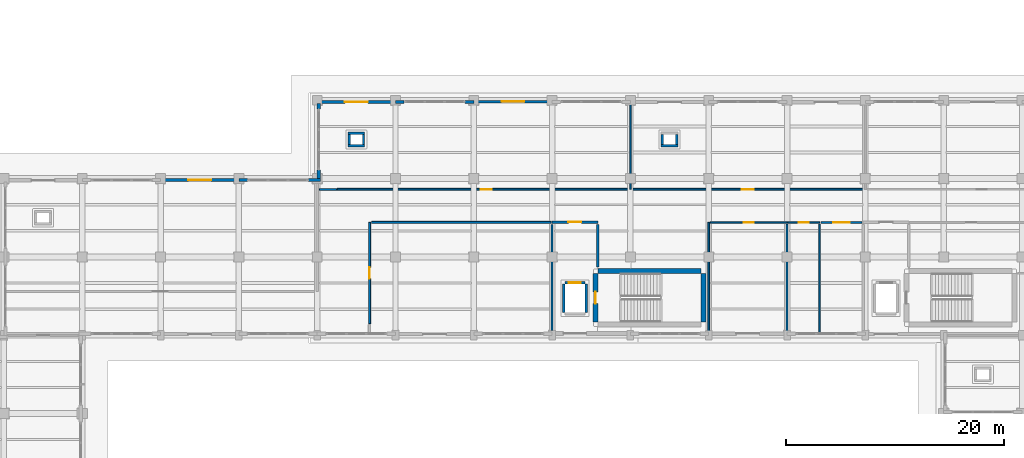
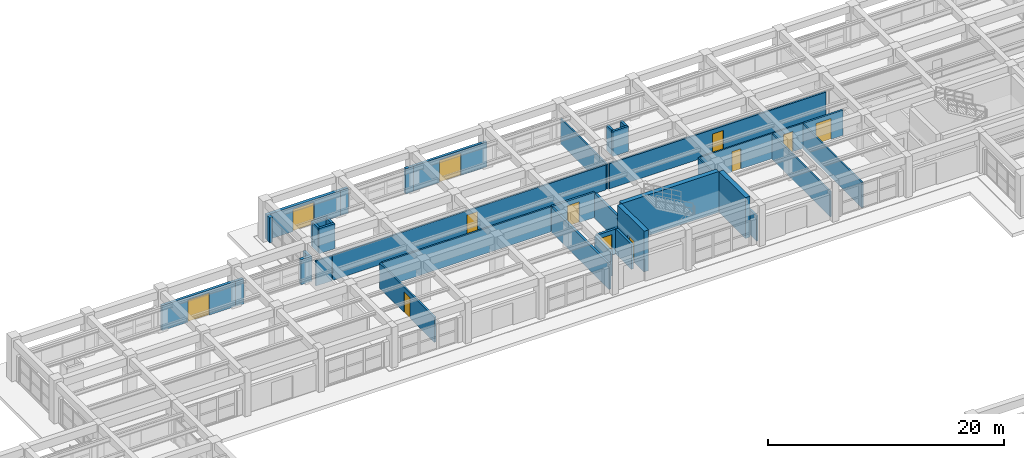
# One storey, part 45 of 64: 37 walls, 12 doors, 12 openings.
"""IFC4 building model written with IfcOpenShell, lengths in metres."""

from ifc_helpers import new_model, si_unit, direction, frame, frame_2d, origin, place, context, subcontext, project, spatial, rectangle, extrude, material, layer, layer_set, type_object, element, fill, save


model = new_model("IFC4")

# Units and contexts
model_context = context("Model", 3, precision=1e-05, world=origin(), true_north=direction((0.0, 1.0)))
body_context = subcontext(model_context, "Body", "Model", "MODEL_VIEW")
ifc_project = project(units=[si_unit("LENGTHUNIT", "METRE"), si_unit("AREAUNIT", "SQUARE_METRE"), si_unit("VOLUMEUNIT", "CUBIC_METRE"), si_unit("PLANEANGLEUNIT", "RADIAN"), si_unit("MASSUNIT", "GRAM", prefix="KILO")], contexts=[model_context])

# Site, building, storey
site_placement = place(None, origin())
site = spatial("IfcSite", under=ifc_project, at=site_placement, CompositionType="ELEMENT")
building_placement = place(site_placement, origin())
building = spatial("IfcBuilding", under=site, at=building_placement, Name="Solenvale Faculty of Natural Sciences", CompositionType="ELEMENT")
storey_placement = place(building_placement, origin())
storey = spatial("IfcBuildingStorey", under=building, at=storey_placement, Name="L00", CompositionType="ELEMENT", Elevation=0.0)

# Wall, opening, door
ifc_material_1 = material(Name="Precast concrete 40 MPa", Category="concrete")
ifc_layer_1 = layer(ifc_material_1, 0.2451171875)
ifc_layer_set_1 = layer_set([ifc_layer_1], Name="Precast concrete 40 MPa")
wall_type_1 = type_object("IfcWallType", Name="WL-EXT-PRC-245", PredefinedType="STANDARD", material=ifc_layer_set_1)
wall_1_placement = place(storey_placement, frame((93.60009765625, 115.077392578125, 0.0), z_axis=(0.0, 0.0, 1.0), x_axis=(1.0, 0.0, 0.0)))
wall_1 = element("IfcWall", 1, at=wall_1_placement, inside=storey, type_object=wall_type_1, Name="L00 Exterior Wall 17.8", PredefinedType="STANDARD", context=body_context, shape_type="SweptSolid", body=[
    extrude(rectangle(XDim=7.199951171875, YDim=0.2451171875, at=frame_2d((3.60009765625, 0.0))), origin(), (0.0, 0.0, 1.0), 2.60009765625),
])
opening_1_placement = place(wall_1_placement, frame((2.550048828125, 0.0, 0.0)))
opening_1 = element("IfcOpeningElement", 2, at=opening_1_placement, cuts=wall_1, Name="Opening EX-22", PredefinedType="OPENING", context=body_context, shape_type="SweptSolid", body=[
    extrude(rectangle(XDim=2.10009765625, YDim=2.300048828125, at=frame_2d((1.050048828125, 1.14990234375))), frame((0.0, 0.132568359375, 0.0), z_axis=(0.0, -1.0, 0.0), x_axis=(1.0, 0.0, 0.0)), (0.0, 0.0, 1.0), 0.26513671875),
])
ifc_material_2 = material(Name="Anodised bronze aluminium", Category="aluminium")
door_type_1 = type_object("IfcDoorType", Name="DR-EXT-2100x2300", OperationType="NOTDEFINED", PredefinedType="DOOR", material=ifc_material_2)
door_1_placement = place(opening_1_placement, origin())
door_1 = element("IfcDoor", 3, at=door_1_placement, inside=storey, type_object=door_type_1, Name="L00 Exterior Exit Door EX-22", OperationType="DOUBLE_DOOR_SINGLE_SWING", OverallHeight=2.300048828125, OverallWidth=2.10009765625, PredefinedType="DOOR", context=body_context, shape_type="SweptSolid", body=[
    extrude(rectangle(XDim=2.10009765625, YDim=2.300048828125, at=frame_2d((1.050048828125, 1.14990234375))), frame((0.0, 0.02490234375, 0.0), z_axis=(0.0, -1.0, 0.0), x_axis=(1.0, 0.0, 0.0)), (0.0, 0.0, 1.0), 0.050048828125),
])
fill(opening_1, door_1)

ifc_layer_2 = layer(ifc_material_1, 0.264892578125)
ifc_layer_set_2 = layer_set([ifc_layer_2], Name="Precast concrete 40 MPa")
wall_type_2 = type_object("IfcWallType", Name="WL-EXT-PRC-265", PredefinedType="STANDARD", material=ifc_layer_set_2)
wall_2_placement = place(storey_placement, frame((64.800048828125, 107.867431640625, 0.0), z_axis=(0.0, 0.0, 1.0), x_axis=(1.0, 0.0, 0.0)))
wall_2 = element("IfcWall", 4, at=wall_2_placement, inside=storey, type_object=wall_type_2, Name="L00 Exterior Wall 19.2", PredefinedType="STANDARD", context=body_context, shape_type="SweptSolid", body=[
    extrude(rectangle(XDim=7.199951171875, YDim=0.264892578125, at=frame_2d((3.60009765625, 0.0))), origin(), (0.0, 0.0, 1.0), 2.60009765625),
])
opening_2_placement = place(wall_2_placement, frame((2.550048828125, 0.0, 0.0)))
opening_2 = element("IfcOpeningElement", 5, at=opening_2_placement, cuts=wall_2, Name="Opening EX-24", PredefinedType="OPENING", context=body_context, shape_type="SweptSolid", body=[
    extrude(rectangle(XDim=2.10009765625, YDim=2.300048828125, at=frame_2d((1.050048828125, 1.14990234375))), frame((0.0, 0.142333984375, 0.0), z_axis=(0.0, -1.0, 0.0), x_axis=(1.0, 0.0, 0.0)), (0.0, 0.0, 1.0), 0.284912109375),
])
door_2_placement = place(opening_2_placement, origin())
door_2 = element("IfcDoor", 6, at=door_2_placement, inside=storey, type_object=door_type_1, Name="L00 Exterior Exit Door EX-24", OperationType="DOUBLE_DOOR_SINGLE_SWING", OverallHeight=2.300048828125, OverallWidth=2.10009765625, PredefinedType="DOOR", context=body_context, shape_type="SweptSolid", body=[
    extrude(rectangle(XDim=2.10009765625, YDim=2.300048828125, at=frame_2d((1.050048828125, 1.14990234375))), frame((0.0, 0.02490234375, 0.0), z_axis=(0.0, -1.0, 0.0), x_axis=(1.0, 0.0, 0.0)), (0.0, 0.0, 1.0), 0.050048828125),
])
fill(opening_2, door_2)

# Walls
ifc_layer_3 = layer(ifc_material_1, 0.284912109375)
ifc_layer_set_3 = layer_set([ifc_layer_3], Name="Precast concrete 40 MPa")
wall_type_3 = type_object("IfcWallType", Name="WL-EXT-PRC-285", PredefinedType="STANDARD", material=ifc_layer_set_3)
for number, where, z_axis, x_axis, name in (
    (7, (93.60009765625, 115.0576171875, 0.0), (0.0, 0.0, 1.0), (-1.0, 0.0, 0.0), "L00 Facade Closure Pier 17.B9-L"),
    (8, (87.18798828125, 115.0576171875, 0.0), (0.0, 0.0, 1.0), (-1.0, 0.0, 0.0), "L00 Facade Closure Pier 17.B9-R"),
):
    element("IfcWall", number, at=place(storey_placement, frame(where, z_axis=z_axis, x_axis=x_axis)), inside=storey, type_object=wall_type_3, Name=name, PredefinedType="STANDARD", context=body_context, shape_type="SweptSolid", body=[
        extrude(rectangle(XDim=0.7880859375, YDim=0.284912109375, at=frame_2d((0.39404296875, 0.0))), origin(), (0.0, 0.0, 1.0), 2.60009765625),
    ])
wall_3_placement = place(storey_placement, frame((79.342529296875, 114.89501953125, 0.0), z_axis=(0.0, 0.0, 1.0), x_axis=(0.0, -1.0, 0.0)))
element("IfcWall", 9, at=wall_3_placement, inside=storey, type_object=wall_type_3, Name="L00 Facade Closure Pier 18.B1-L", PredefinedType="STANDARD", context=body_context, shape_type="SweptSolid", body=[
    extrude(rectangle(XDim=0.48291015625, YDim=0.284912109375, at=frame_2d((0.241455078125, 0.0))), origin(), (0.0, 0.0, 1.0), 2.60009765625),
])
wall_4_placement = place(storey_placement, frame((79.342529296875, 108.7880859375, 0.0), z_axis=(0.0, 0.0, 1.0), x_axis=(0.0, -1.0, 0.0)))
element("IfcWall", 10, at=wall_4_placement, inside=storey, type_object=wall_type_3, Name="L00 Facade Closure Pier 18.B1-R", PredefinedType="STANDARD", context=body_context, shape_type="SweptSolid", body=[
    extrude(rectangle(XDim=0.7880859375, YDim=0.284912109375, at=frame_2d((0.39404296875, 0.0))), origin(), (0.0, 0.0, 1.0), 2.60009765625),
])
wall_5_placement = place(storey_placement, frame((79.485107421875, 107.857421875, 0.0), z_axis=(0.0, 0.0, 1.0), x_axis=(-1.0, 0.0, 0.0)))
element("IfcWall", 11, at=wall_5_placement, inside=storey, type_object=wall_type_3, Name="L00 Facade Closure Pier 19.B1-L", PredefinedType="STANDARD", context=body_context, shape_type="SweptSolid", body=[
    extrude(rectangle(XDim=1.072998046875, YDim=0.284912109375, at=frame_2d((0.53662109375, 0.0))), origin(), (0.0, 0.0, 1.0), 2.60009765625),
])
wall_6_placement = place(storey_placement, frame((72.7880859375, 107.857421875, 0.0), z_axis=(0.0, 0.0, 1.0), x_axis=(-1.0, 0.0, 0.0)))
element("IfcWall", 12, at=wall_6_placement, inside=storey, type_object=wall_type_3, Name="L00 Facade Closure Pier 19.B1-R", PredefinedType="STANDARD", context=body_context, shape_type="SweptSolid", body=[
    extrude(rectangle(XDim=0.7880859375, YDim=0.284912109375, at=frame_2d((0.39404296875, 0.0))), origin(), (0.0, 0.0, 1.0), 2.60009765625),
])

# Wall, opening, door
ifc_layer_4 = layer(ifc_material_1, 0.304931640625)
ifc_layer_set_4 = layer_set([ifc_layer_4], Name="Precast concrete 40 MPa")
wall_type_4 = type_object("IfcWallType", Name="WL-EXT-PRC-305", PredefinedType="STANDARD", material=ifc_layer_set_4)
wall_7_placement = place(storey_placement, frame((79.199951171875, 115.047607421875, 0.0), z_axis=(0.0, 0.0, 1.0), x_axis=(1.0, 0.0, 0.0)))
wall_7 = element("IfcWall", 13, at=wall_7_placement, inside=storey, type_object=wall_type_4, Name="L00 Exterior Wall 17.10", PredefinedType="STANDARD", context=body_context, shape_type="SweptSolid", body=[
    extrude(rectangle(XDim=7.199951171875, YDim=0.304931640625, at=frame_2d((3.60009765625, 0.0))), origin(), (0.0, 0.0, 1.0), 2.60009765625),
])
opening_3_placement = place(wall_7_placement, frame((2.550048828125, 0.0, 0.0)))
opening_3 = element("IfcOpeningElement", 14, at=opening_3_placement, cuts=wall_7, Name="Opening EX-23", PredefinedType="OPENING", context=body_context, shape_type="SweptSolid", body=[
    extrude(rectangle(XDim=2.10009765625, YDim=2.300048828125, at=frame_2d((1.050048828125, 1.14990234375))), frame((0.0, 0.162353515625, 0.0), z_axis=(0.0, -1.0, 0.0), x_axis=(1.0, 0.0, 0.0)), (0.0, 0.0, 1.0), 0.324951171875),
])
door_3_placement = place(opening_3_placement, origin())
door_3 = element("IfcDoor", 15, at=door_3_placement, inside=storey, type_object=door_type_1, Name="L00 Exterior Exit Door EX-23", OperationType="DOUBLE_DOOR_SINGLE_SWING", OverallHeight=2.300048828125, OverallWidth=2.10009765625, PredefinedType="DOOR", context=body_context, shape_type="SweptSolid", body=[
    extrude(rectangle(XDim=2.10009765625, YDim=2.300048828125, at=frame_2d((1.050048828125, 1.14990234375))), frame((0.0, 0.02490234375, 0.0), z_axis=(0.0, -1.0, 0.0), x_axis=(1.0, 0.0, 0.0)), (0.0, 0.0, 1.0), 0.050048828125),
])
fill(opening_3, door_3)

ifc_material_3 = material(Name="Gypsum fire-rated shaftwall")
ifc_layer_5 = layer(ifc_material_3, 0.205078125)
ifc_layer_set_5 = layer_set([ifc_layer_5], Name="Gypsum fire-rated shaftwall")
wall_type_5 = type_object("IfcWallType", Name="WL-FFL-205", PredefinedType="PARTITIONING", material=ifc_layer_set_5)
wall_8_placement = place(storey_placement, frame((100.800048828125, 104.0, 0.0), z_axis=(0.0, 0.0, 1.0), x_axis=(1.0, 0.0, 0.0)))
wall_8 = element("IfcWall", 16, at=wall_8_placement, inside=storey, type_object=wall_type_5, Name="L00 Firefighting Lobby C4 Partition 1", PredefinedType="PARTITIONING", context=body_context, shape_type="SweptSolid", body=[
    extrude(rectangle(XDim=4.199951171875, YDim=0.205078125, at=frame_2d((2.10009765625, 0.0))), origin(), (0.0, 0.0, 1.0), 2.60009765625),
])
opening_4_placement = place(wall_8_placement, frame((1.5, 0.0, 0.0)))
opening_4 = element("IfcOpeningElement", 17, at=opening_4_placement, cuts=wall_8, Name="Opening D-L00-01", PredefinedType="OPENING", context=body_context, shape_type="SweptSolid", body=[
    extrude(rectangle(XDim=1.199951171875, YDim=2.14990234375, at=frame_2d((0.60009765625, 1.074951171875))), frame((0.0, 0.112548828125, 0.0), z_axis=(0.0, -1.0, 0.0), x_axis=(1.0, 0.0, 0.0)), (0.0, 0.0, 1.0), 0.22509765625),
])
ifc_material_4 = material(Name="Galvanised steel S355", Category="steel")
door_type_2 = type_object("IfcDoorType", Name="DR-FFL-1200x2150", OperationType="NOTDEFINED", PredefinedType="DOOR", material=ifc_material_4)
door_4_placement = place(opening_4_placement, origin())
door_4 = element("IfcDoor", 18, at=door_4_placement, inside=storey, type_object=door_type_2, Name="L00 Firefighting Lobby C4 Door", OperationType="SINGLE_SWING_LEFT", OverallHeight=2.14990234375, OverallWidth=1.199951171875, PredefinedType="DOOR", context=body_context, shape_type="SweptSolid", body=[
    extrude(rectangle(XDim=1.199951171875, YDim=2.14990234375, at=frame_2d((0.60009765625, 1.074951171875))), frame((0.0, 0.02490234375, 0.0), z_axis=(0.0, -1.0, 0.0), x_axis=(1.0, 0.0, 0.0)), (0.0, 0.0, 1.0), 0.050048828125),
])
fill(opening_4, door_4)

# Walls
wall_9_placement = place(storey_placement, frame((105.0, 103.782958984375, 0.0), z_axis=(0.0, 0.0, 1.0), x_axis=(0.0, -1.0, 0.0)))
element("IfcWall", 19, at=wall_9_placement, inside=storey, type_object=wall_type_5, Name="L00 Firefighting Lobby C4 Partition 2", PredefinedType="PARTITIONING", context=body_context, shape_type="SweptSolid", body=[
    extrude(rectangle(XDim=3.927978515625, YDim=0.205078125, at=frame_2d((1.9638671875, 0.0))), origin(), (0.0, 0.0, 1.0), 2.60009765625),
])
wall_10_placement = place(storey_placement, frame((100.800048828125, 94.044921875, 0.0), z_axis=(0.0, 0.0, 1.0), x_axis=(0.0, 1.0, 0.0)))
element("IfcWall", 20, at=wall_10_placement, inside=storey, type_object=wall_type_5, Name="L00 Firefighting Lobby C4 Partition 4", PredefinedType="PARTITIONING", context=body_context, shape_type="SweptSolid", body=[
    extrude(rectangle(XDim=9.738037109375, YDim=0.205078125, at=frame_2d((4.869140625, 0.0))), origin(), (0.0, 0.0, 1.0), 2.60009765625),
])
ifc_material_5 = material(Name="Acoustic stud gypsum partition")
ifc_layer_6 = layer(ifc_material_5, 0.14794921875)
ifc_layer_set_6 = layer_set([ifc_layer_6], Name="Acoustic stud gypsum partition")
wall_type_6 = type_object("IfcWallType", Name="WL-OFF-148", PredefinedType="PARTITIONING", material=ifc_layer_set_6)
wall_11_placement = place(storey_placement, frame((80.97998046875, 107.0, 0.0), z_axis=(0.0, 0.0, 1.0), x_axis=(-1.0, 0.0, 0.0)))
element("IfcWall", 21, at=wall_11_placement, inside=storey, type_object=wall_type_6, Name="L00 Faculty Staff Office Partition 17", PredefinedType="PARTITIONING", context=body_context, shape_type="SweptSolid", body=[
    extrude(rectangle(XDim=1.587890625, YDim=0.14794921875, at=frame_2d((0.7939453125, 0.0))), origin(), (0.0, 0.0, 1.0), 2.60009765625),
])
wall_12_placement = place(storey_placement, frame((108.0, 114.8291015625, 0.0), z_axis=(0.0, 0.0, 1.0), x_axis=(0.0, -1.0, 0.0)))
element("IfcWall", 22, at=wall_12_placement, inside=storey, type_object=wall_type_6, Name="L00 Faculty Staff Office Partition 38", PredefinedType="PARTITIONING", context=body_context, shape_type="SweptSolid", body=[
    extrude(rectangle(XDim=7.80908203125, YDim=0.14794921875, at=frame_2d((3.904541015625, 0.0))), origin(), (0.0, 0.0, 1.0), 2.60009765625),
])

# Wall, opening, door
wall_13_placement = place(storey_placement, frame((107.840087890625, 107.02001953125, 0.0), z_axis=(0.0, 0.0, 1.0), x_axis=(-1.0, 0.0, 0.0)))
wall_13 = element("IfcWall", 23, at=wall_13_placement, inside=storey, type_object=wall_type_6, Name="L00 Faculty Staff Office Partition 39", PredefinedType="PARTITIONING", context=body_context, shape_type="SweptSolid", body=[
    extrude(rectangle(XDim=26.774169921875, YDim=0.14794921875, at=frame_2d((13.38720703125, 0.0))), origin(), (0.0, 0.0, 1.0), 2.60009765625),
])
opening_5_placement = place(wall_13_placement, frame((12.576904296875, 0.0, 0.0)))
opening_5 = element("IfcOpeningElement", 24, at=opening_5_placement, cuts=wall_13, Name="Opening D-L00-19", PredefinedType="OPENING", context=body_context, shape_type="SweptSolid", body=[
    extrude(rectangle(XDim=1.02001953125, YDim=2.14990234375, at=frame_2d((0.510009765625, 1.074951171875))), frame((0.0, 0.083984375, 0.0), z_axis=(0.0, -1.0, 0.0), x_axis=(1.0, 0.0, 0.0)), (0.0, 0.0, 1.0), 0.16796875),
])
ifc_material_6 = material(Name="Oak acoustic timber leaf", Category="wood")
door_type_3 = type_object("IfcDoorType", Name="DR-OFF-1020x2150", OperationType="NOTDEFINED", PredefinedType="DOOR", material=ifc_material_6)
door_5_placement = place(opening_5_placement, origin())
door_5 = element("IfcDoor", 25, at=door_5_placement, inside=storey, type_object=door_type_3, Name="L00 Faculty Staff Office Door", OperationType="SINGLE_SWING_LEFT", OverallHeight=2.14990234375, OverallWidth=1.02001953125, PredefinedType="DOOR", context=body_context, shape_type="SweptSolid", body=[
    extrude(rectangle(XDim=1.02001953125, YDim=2.14990234375, at=frame_2d((0.510009765625, 1.074951171875))), frame((0.0, 0.02490234375, 0.0), z_axis=(0.0, -1.0, 0.0), x_axis=(1.0, 0.0, 0.0)), (0.0, 0.0, 1.0), 0.050048828125),
])
fill(opening_5, door_5)

ifc_material_7 = material(Name="Acoustic double-stud gypsum partition")
ifc_layer_7 = layer(ifc_material_7, 0.1650390625)
ifc_layer_set_7 = layer_set([ifc_layer_7], Name="Acoustic double-stud gypsum partition")
wall_type_7 = type_object("IfcWallType", Name="WL-SEM-165", PredefinedType="PARTITIONING", material=ifc_layer_set_7)
wall_14_placement = place(storey_placement, frame((129.423095703125, 107.02001953125, 0.0), z_axis=(0.0, 0.0, 1.0), x_axis=(-1.0, 0.0, 0.0)))
wall_14 = element("IfcWall", 26, at=wall_14_placement, inside=storey, type_object=wall_type_7, Name="L00 Seminar Room Partition 4", PredefinedType="PARTITIONING", context=body_context, shape_type="SweptSolid", body=[
    extrude(rectangle(XDim=21.255126953125, YDim=0.1650390625, at=frame_2d((10.62744140625, 0.0))), origin(), (0.0, 0.0, 1.0), 2.60009765625),
])
opening_6_placement = place(wall_14_placement, frame((10.0869140625, 0.0, 0.0)))
opening_6 = element("IfcOpeningElement", 27, at=opening_6_placement, cuts=wall_14, Name="Opening D-L00-20", PredefinedType="OPENING", context=body_context, shape_type="SweptSolid", body=[
    extrude(rectangle(XDim=1.080078125, YDim=2.14990234375, at=frame_2d((0.5400390625, 1.074951171875))), frame((0.0, 0.092529296875, 0.0), z_axis=(0.0, -1.0, 0.0), x_axis=(1.0, 0.0, 0.0)), (0.0, 0.0, 1.0), 0.18505859375),
])
door_type_4 = type_object("IfcDoorType", Name="DR-SEM-1080x2150", OperationType="NOTDEFINED", PredefinedType="DOOR", material=ifc_material_6)
door_6_placement = place(opening_6_placement, origin())
door_6 = element("IfcDoor", 28, at=door_6_placement, inside=storey, type_object=door_type_4, Name="L00 Seminar Room Door", OperationType="SINGLE_SWING_RIGHT", OverallHeight=2.14990234375, OverallWidth=1.080078125, PredefinedType="DOOR", context=body_context, shape_type="SweptSolid", body=[
    extrude(rectangle(XDim=1.080078125, YDim=2.14990234375, at=frame_2d((0.5400390625, 1.074951171875))), frame((0.0, 0.02490234375, 0.0), z_axis=(0.0, -1.0, 0.0), x_axis=(1.0, 0.0, 0.0)), (0.0, 0.0, 1.0), 0.050048828125),
])
fill(opening_6, door_6)

ifc_layer_8 = layer(ifc_material_7, 0.169921875)
ifc_layer_set_8 = layer_set([ifc_layer_8], Name="Acoustic double-stud gypsum partition")
wall_type_8 = type_object("IfcWallType", Name="WL-SEM-170", PredefinedType="PARTITIONING", material=ifc_layer_set_8)
wall_15_placement = place(storey_placement, frame((84.02001953125, 94.677001953125, 0.0), z_axis=(0.0, 0.0, 1.0), x_axis=(0.0, 1.0, 0.0)))
wall_15 = element("IfcWall", 29, at=wall_15_placement, inside=storey, type_object=wall_type_8, Name="L00 Seminar Room Partition 18", PredefinedType="PARTITIONING", context=body_context, shape_type="SweptSolid", body=[
    extrude(rectangle(XDim=9.302978515625, YDim=0.169921875, at=frame_2d((4.6513671875, 0.0))), origin(), (0.0, 0.0, 1.0), 2.60009765625),
])
opening_7_placement = place(wall_15_placement, frame((4.1259765625, 0.0, 0.0)))
opening_7 = element("IfcOpeningElement", 30, at=opening_7_placement, cuts=wall_15, Name="Opening D-L00-22", PredefinedType="OPENING", context=body_context, shape_type="SweptSolid", body=[
    extrude(rectangle(XDim=1.050048828125, YDim=2.14990234375, at=frame_2d((0.52490234375, 1.074951171875))), frame((0.0, 0.094970703125, 0.0), z_axis=(0.0, -1.0, 0.0), x_axis=(1.0, 0.0, 0.0)), (0.0, 0.0, 1.0), 0.18994140625),
])
door_type_5 = type_object("IfcDoorType", Name="DR-SEM-1050x2150", OperationType="NOTDEFINED", PredefinedType="DOOR", material=ifc_material_6)
door_7_placement = place(opening_7_placement, origin())
door_7 = element("IfcDoor", 31, at=door_7_placement, inside=storey, type_object=door_type_5, Name="L00 Seminar Room Door", OperationType="SINGLE_SWING_RIGHT", OverallHeight=2.14990234375, OverallWidth=1.050048828125, PredefinedType="DOOR", context=body_context, shape_type="SweptSolid", body=[
    extrude(rectangle(XDim=1.050048828125, YDim=2.14990234375, at=frame_2d((0.52490234375, 1.074951171875))), frame((0.0, 0.02490234375, 0.0), z_axis=(0.0, -1.0, 0.0), x_axis=(1.0, 0.0, 0.0)), (0.0, 0.0, 1.0), 0.050048828125),
])
fill(opening_7, door_7)

# Wall
wall_16_placement = place(storey_placement, frame((84.201904296875, 103.97998046875, 0.0), z_axis=(0.0, 0.0, 1.0), x_axis=(1.0, 0.0, 0.0)))
element("IfcWall", 32, at=wall_16_placement, inside=storey, type_object=wall_type_8, Name="L00 Seminar Room Partition 19", PredefinedType="PARTITIONING", context=body_context, shape_type="SweptSolid", body=[
    extrude(rectangle(XDim=16.5009765625, YDim=0.169921875, at=frame_2d((8.25048828125, 0.0))), origin(), (0.0, 0.0, 1.0), 2.60009765625),
])

# Wall, opening, door
ifc_material_8 = material(Name="Concrete 40 MPa", Category="concrete")
ifc_layer_9 = layer(ifc_material_8, 0.219970703125)
ifc_layer_set_9 = layer_set([ifc_layer_9], Name="Concrete 40 MPa")
wall_type_9 = type_object("IfcWallType", Name="WL-SHF-220", PredefinedType="STANDARD", material=ifc_layer_set_9)
wall_17_placement = place(storey_placement, frame((101.97998046875, 98.429931640625, 0.0), z_axis=(0.0, 0.0, 1.0), x_axis=(1.0, 0.0, 0.0)))
wall_17 = element("IfcWall", 33, at=wall_17_placement, inside=storey, type_object=wall_type_9, Name="Elevator LF-01 L00 Shaft Wall N", PredefinedType="STANDARD", context=body_context, shape_type="SweptSolid", body=[
    extrude(rectangle(XDim=1.840087890625, YDim=0.219970703125, at=frame_2d((0.919921875, 0.0))), origin(), (0.0, 0.0, 1.0), 2.60009765625),
])
opening_8_placement = place(wall_17_placement, frame((0.3701171875, 0.0, 0.0)))
opening_8 = element("IfcOpeningElement", 34, at=opening_8_placement, cuts=wall_17, Name="Opening LD-LF-01-L00", PredefinedType="OPENING", context=body_context, shape_type="SweptSolid", body=[
    extrude(rectangle(XDim=1.10009765625, YDim=2.14990234375, at=frame_2d((0.550048828125, 1.074951171875))), frame((0.0, 0.119873046875, 0.0), z_axis=(0.0, -1.0, 0.0), x_axis=(1.0, 0.0, 0.0)), (0.0, 0.0, 1.0), 0.239990234375),
])
ifc_material_9 = material(Name="Stainless steel Grade 304", Category="steel")
door_type_6 = type_object("IfcDoorType", Name="DR-LIFT-1100x2150", OperationType="NOTDEFINED", PredefinedType="DOOR", material=ifc_material_9)
door_8_placement = place(opening_8_placement, origin())
door_8 = element("IfcDoor", 35, at=door_8_placement, inside=storey, type_object=door_type_6, Name="Elevator LF-01 L00 Sliding Landing Door", OperationType="SLIDING_TO_LEFT", OverallHeight=2.14990234375, OverallWidth=1.10009765625, PredefinedType="DOOR", context=body_context, shape_type="SweptSolid", body=[
    extrude(rectangle(XDim=1.10009765625, YDim=2.14990234375, at=frame_2d((0.550048828125, 1.074951171875))), frame((0.0, 0.02490234375, 0.0), z_axis=(0.0, -1.0, 0.0), x_axis=(1.0, 0.0, 0.0)), (0.0, 0.0, 1.0), 0.050048828125),
])
fill(opening_8, door_8)

# Walls
for number, where, z_axis, x_axis, name in (
    (36, (101.8701171875, 95.679931640625, 0.0), (0.0, 0.0, 1.0), (0.0, 1.0, 0.0), "Elevator LF-01 L00 Shaft Wall W"),
    (37, (103.929931640625, 95.679931640625, 0.0), (0.0, 0.0, 1.0), (0.0, 1.0, 0.0), "Elevator LF-01 L00 Shaft Wall E"),
):
    element("IfcWall", number, at=place(storey_placement, frame(where, z_axis=z_axis, x_axis=x_axis)), inside=storey, type_object=wall_type_9, Name=name, PredefinedType="STANDARD", context=body_context, shape_type="SweptSolid", body=[
        extrude(rectangle(XDim=2.64013671875, YDim=0.219970703125, at=frame_2d((1.320068359375, 0.0))), origin(), (0.0, 0.0, 1.0), 2.60009765625),
    ])
for number, where, z_axis, x_axis, name in (
    (38, (82.030029296875, 111.0400390625, 0.0), (0.0, 0.0, 1.0), (1.0, 0.0, 0.0), "L00 Service Riser Shaft 8 Wall S"),
    (39, (82.030029296875, 112.159912109375, 0.0), (0.0, 0.0, 1.0), (1.0, 0.0, 0.0), "L00 Service Riser Shaft 8 Wall N"),
):
    element("IfcWall", number, at=place(storey_placement, frame(where, z_axis=z_axis, x_axis=x_axis)), inside=storey, type_object=wall_type_9, Name=name, PredefinedType="STANDARD", context=body_context, shape_type="SweptSolid", body=[
        extrude(rectangle(XDim=1.5400390625, YDim=0.219970703125, at=frame_2d((0.77001953125, 0.0))), origin(), (0.0, 0.0, 1.0), 2.60009765625),
    ])
for number, where, z_axis, x_axis, name in (
    (40, (82.139892578125, 111.14990234375, 0.0), (0.0, 0.0, 1.0), (0.0, 1.0, 0.0), "L00 Service Riser Shaft 8 Wall W"),
    (41, (83.4599609375, 111.14990234375, 0.0), (0.0, 0.0, 1.0), (0.0, 1.0, 0.0), "L00 Service Riser Shaft 8 Wall E"),
):
    element("IfcWall", number, at=place(storey_placement, frame(where, z_axis=z_axis, x_axis=x_axis)), inside=storey, type_object=wall_type_9, Name=name, PredefinedType="STANDARD", context=body_context, shape_type="SweptSolid", body=[
        extrude(rectangle(XDim=0.900146484375, YDim=0.219970703125, at=frame_2d((0.4501953125, 0.0))), origin(), (0.0, 0.0, 1.0), 2.60009765625),
    ])
wall_18_placement = place(storey_placement, frame((110.830078125, 111.0400390625, 0.0), z_axis=(0.0, 0.0, 1.0), x_axis=(1.0, 0.0, 0.0)))
element("IfcWall", 42, at=wall_18_placement, inside=storey, type_object=wall_type_9, Name="L00 Service Riser Shaft 9 Wall S", PredefinedType="STANDARD", context=body_context, shape_type="SweptSolid", body=[
    extrude(rectangle(XDim=1.5400390625, YDim=0.219970703125, at=frame_2d((0.77001953125, 0.0))), origin(), (0.0, 0.0, 1.0), 2.60009765625),
])
for number, where, z_axis, x_axis, name in (
    (43, (110.93994140625, 111.14990234375, 0.0), (0.0, 0.0, 1.0), (0.0, 1.0, 0.0), "L00 Service Riser Shaft 9 Wall W"),
    (44, (112.260009765625, 111.14990234375, 0.0), (0.0, 0.0, 1.0), (0.0, 1.0, 0.0), "L00 Service Riser Shaft 9 Wall E"),
):
    element("IfcWall", number, at=place(storey_placement, frame(where, z_axis=z_axis, x_axis=x_axis)), inside=storey, type_object=wall_type_9, Name=name, PredefinedType="STANDARD", context=body_context, shape_type="SweptSolid", body=[
        extrude(rectangle(XDim=0.900146484375, YDim=0.219970703125, at=frame_2d((0.4501953125, 0.0))), origin(), (0.0, 0.0, 1.0), 2.60009765625),
    ])
ifc_material_10 = material(Name="Concrete 50 MPa", Category="concrete")
ifc_layer_10 = layer(ifc_material_10, 0.43994140625)
ifc_layer_set_10 = layer_set([ifc_layer_10], Name="Concrete 50 MPa")
wall_type_10 = type_object("IfcWallType", Name="WL-SHR-440", PredefinedType="SHEAR", material=ifc_layer_set_10)
wall_19_placement = place(storey_placement, frame((105.0, 99.52001953125, 0.0), z_axis=(0.0, 0.0, 1.0), x_axis=(1.0, 0.0, 0.0)))
element("IfcWall", 45, at=wall_19_placement, inside=storey, type_object=wall_type_10, Name="Core C4 L00 Shear Wall N", PredefinedType="SHEAR", context=body_context, shape_type="SweptSolid", body=[
    extrude(rectangle(XDim=9.5, YDim=0.43994140625, at=frame_2d((4.75, 0.0))), origin(), (0.0, 0.0, 1.0), 4.219970703125),
])

# Wall, opening, door
wall_20_placement = place(storey_placement, frame((104.780029296875, 94.800048828125, 0.0), z_axis=(0.0, 0.0, 1.0), x_axis=(0.0, 1.0, 0.0)))
wall_20 = element("IfcWall", 46, at=wall_20_placement, inside=storey, type_object=wall_type_10, Name="Core C4 L00 Shear Wall W", PredefinedType="SHEAR", context=body_context, shape_type="SweptSolid", body=[
    extrude(rectangle(XDim=4.5, YDim=0.43994140625, at=frame_2d((2.25, 0.0))), origin(), (0.0, 0.0, 1.0), 4.219970703125),
])
opening_9_placement = place(wall_20_placement, frame((1.699951171875, 0.0, 0.0)))
opening_9 = element("IfcOpeningElement", 47, at=opening_9_placement, cuts=wall_20, Name="Opening DS-C4-L00", PredefinedType="OPENING", context=body_context, shape_type="SweptSolid", body=[
    extrude(rectangle(XDim=1.10009765625, YDim=2.14990234375, at=frame_2d((0.550048828125, 1.074951171875))), frame((0.0, 0.22998046875, 0.0), z_axis=(0.0, -1.0, 0.0), x_axis=(1.0, 0.0, 0.0)), (0.0, 0.0, 1.0), 0.4599609375),
])
door_type_7 = type_object("IfcDoorType", Name="DR-STAIR-1100x2150", OperationType="NOTDEFINED", PredefinedType="DOOR", material=ifc_material_4)
door_9_placement = place(opening_9_placement, origin())
door_9 = element("IfcDoor", 48, at=door_9_placement, inside=storey, type_object=door_type_7, Name="L00 Stair ST-04 Fire Door", OperationType="SINGLE_SWING_LEFT", OverallHeight=2.14990234375, OverallWidth=1.10009765625, PredefinedType="DOOR", context=body_context, shape_type="SweptSolid", body=[
    extrude(rectangle(XDim=1.10009765625, YDim=2.14990234375, at=frame_2d((0.550048828125, 1.074951171875))), frame((0.0, 0.02490234375, 0.0), z_axis=(0.0, -1.0, 0.0), x_axis=(1.0, 0.0, 0.0)), (0.0, 0.0, 1.0), 0.050048828125),
])
fill(opening_9, door_9)

# Wall
wall_21_placement = place(storey_placement, frame((114.719970703125, 94.800048828125, 0.0), z_axis=(0.0, 0.0, 1.0), x_axis=(0.0, 1.0, 0.0)))
element("IfcWall", 49, at=wall_21_placement, inside=storey, type_object=wall_type_10, Name="Core C4 L00 Shear Wall E", PredefinedType="SHEAR", context=body_context, shape_type="SweptSolid", body=[
    extrude(rectangle(XDim=4.5, YDim=0.43994140625, at=frame_2d((2.25, 0.0))), origin(), (0.0, 0.0, 1.0), 4.219970703125),
])

# Wall, opening, door
ifc_material_11 = material(Name="Concrete masonry 20 MPa", Category="masonry")
ifc_layer_11 = layer(ifc_material_11, 0.195068359375)
ifc_layer_set_11 = layer_set([ifc_layer_11], Name="Concrete masonry 20 MPa")
wall_type_11 = type_object("IfcWallType", Name="WL-STR-195", PredefinedType="PARTITIONING", material=ifc_layer_set_11)
wall_22_placement = place(storey_placement, frame((125.510009765625, 103.97998046875, 0.0), z_axis=(0.0, 0.0, 1.0), x_axis=(1.0, 0.0, 0.0)))
wall_22 = element("IfcWall", 50, at=wall_22_placement, inside=storey, type_object=wall_type_11, Name="L00 Janitor and Supply Store Partition 2", PredefinedType="PARTITIONING", context=body_context, shape_type="SweptSolid", body=[
    extrude(rectangle(XDim=3.781005859375, YDim=0.195068359375, at=frame_2d((1.890625, 0.0))), origin(), (0.0, 0.0, 1.0), 2.60009765625),
])
opening_10_placement = place(wall_22_placement, frame((1.139892578125, 0.0, 0.0)))
opening_10 = element("IfcOpeningElement", 51, at=opening_10_placement, cuts=wall_22, Name="Opening D-L00-25", PredefinedType="OPENING", context=body_context, shape_type="SweptSolid", body=[
    extrude(rectangle(XDim=1.5, YDim=2.14990234375, at=frame_2d((0.75, 1.074951171875))), frame((0.0, 0.107421875, 0.0), z_axis=(0.0, -1.0, 0.0), x_axis=(1.0, 0.0, 0.0)), (0.0, 0.0, 1.0), 0.215087890625),
])
door_type_8 = type_object("IfcDoorType", Name="DR-PLT-1500x2150", OperationType="NOTDEFINED", PredefinedType="DOOR", material=ifc_material_4)
door_10_placement = place(opening_10_placement, origin())
door_10 = element("IfcDoor", 52, at=door_10_placement, inside=storey, type_object=door_type_8, Name="L00 Janitor and Supply Store Door", OperationType="SINGLE_SWING_LEFT", OverallHeight=2.14990234375, OverallWidth=1.5, PredefinedType="DOOR", context=body_context, shape_type="SweptSolid", body=[
    extrude(rectangle(XDim=1.5, YDim=2.14990234375, at=frame_2d((0.75, 1.074951171875))), frame((0.0, 0.02490234375, 0.0), z_axis=(0.0, -1.0, 0.0), x_axis=(1.0, 0.0, 0.0)), (0.0, 0.0, 1.0), 0.050048828125),
])
fill(opening_10, door_10)

# Wall
ifc_material_12 = material(Name="Moisture-resistant tile partition")
ifc_layer_12 = layer(ifc_material_12, 0.14990234375)
ifc_layer_set_12 = layer_set([ifc_layer_12], Name="Moisture-resistant tile partition")
wall_type_12 = type_object("IfcWallType", Name="WL-WC-150", PredefinedType="PARTITIONING", material=ifc_layer_set_12)
wall_23_placement = place(storey_placement, frame((115.199951171875, 93.971923828125, 0.0), z_axis=(0.0, 0.0, 1.0), x_axis=(0.0, 1.0, 0.0)))
element("IfcWall", 53, at=wall_23_placement, inside=storey, type_object=wall_type_12, Name="L00 Public Washroom Partition 1", PredefinedType="PARTITIONING", context=body_context, shape_type="SweptSolid", body=[
    extrude(rectangle(XDim=10.008056640625, YDim=0.14990234375, at=frame_2d((5.00390625, 0.0))), origin(), (0.0, 0.0, 1.0), 2.60009765625),
])

# Wall, opening, door
wall_24_placement = place(storey_placement, frame((115.362060546875, 103.97998046875, 0.0), z_axis=(0.0, 0.0, 1.0), x_axis=(1.0, 0.0, 0.0)))
wall_24 = element("IfcWall", 54, at=wall_24_placement, inside=storey, type_object=wall_type_12, Name="L00 Public Washroom Partition 2", PredefinedType="PARTITIONING", context=body_context, shape_type="SweptSolid", body=[
    extrude(rectangle(XDim=7.037841796875, YDim=0.14990234375, at=frame_2d((3.51904296875, 0.0))), origin(), (0.0, 0.0, 1.0), 2.60009765625),
])
opening_11_placement = place(wall_24_placement, frame((3.0791015625, 0.0, 0.0)))
opening_11 = element("IfcOpeningElement", 55, at=opening_11_placement, cuts=wall_24, Name="Opening D-L00-23", PredefinedType="OPENING", context=body_context, shape_type="SweptSolid", body=[
    extrude(rectangle(XDim=0.8798828125, YDim=2.10009765625, at=frame_2d((0.43994140625, 1.050048828125))), frame((0.0, 0.0849609375, 0.0), z_axis=(0.0, -1.0, 0.0), x_axis=(1.0, 0.0, 0.0)), (0.0, 0.0, 1.0), 0.169921875),
])
door_type_9 = type_object("IfcDoorType", Name="DR-WC-0880x2100", OperationType="NOTDEFINED", PredefinedType="DOOR", material=ifc_material_6)
door_11_placement = place(opening_11_placement, origin())
door_11 = element("IfcDoor", 56, at=door_11_placement, inside=storey, type_object=door_type_9, Name="L00 Public Washroom Door", OperationType="SINGLE_SWING_LEFT", OverallHeight=2.10009765625, OverallWidth=0.8798828125, PredefinedType="DOOR", context=body_context, shape_type="SweptSolid", body=[
    extrude(rectangle(XDim=0.8798828125, YDim=2.10009765625, at=frame_2d((0.43994140625, 1.050048828125))), frame((0.0, 0.02490234375, 0.0), z_axis=(0.0, -1.0, 0.0), x_axis=(1.0, 0.0, 0.0)), (0.0, 0.0, 1.0), 0.050048828125),
])
fill(opening_11, door_11)

# Wall
wall_25_placement = place(storey_placement, frame((122.39990234375, 103.818115234375, 0.0), z_axis=(0.0, 0.0, 1.0), x_axis=(0.0, -1.0, 0.0)))
element("IfcWall", 57, at=wall_25_placement, inside=storey, type_object=wall_type_12, Name="L00 Public Washroom Partition 3", PredefinedType="PARTITIONING", context=body_context, shape_type="SweptSolid", body=[
    extrude(rectangle(XDim=9.84619140625, YDim=0.14990234375, at=frame_2d((4.923095703125, 0.0))), origin(), (0.0, 0.0, 1.0), 2.60009765625),
])

# Wall, opening, door
wall_26_placement = place(storey_placement, frame((122.487060546875, 103.97998046875, 0.0), z_axis=(0.0, 0.0, 1.0), x_axis=(1.0, 0.0, 0.0)))
wall_26 = element("IfcWall", 58, at=wall_26_placement, inside=storey, type_object=wall_type_12, Name="L00 Accessible Washroom Partition 2", PredefinedType="PARTITIONING", context=body_context, shape_type="SweptSolid", body=[
    extrude(rectangle(XDim=2.912841796875, YDim=0.14990234375, at=frame_2d((1.45654296875, 0.0))), origin(), (0.0, 0.0, 1.0), 2.60009765625),
])
opening_12_placement = place(wall_26_placement, frame((1.007080078125, 0.0, 0.0)))
opening_12 = element("IfcOpeningElement", 59, at=opening_12_placement, cuts=wall_26, Name="Opening D-L00-24", PredefinedType="OPENING", context=body_context, shape_type="SweptSolid", body=[
    extrude(rectangle(XDim=0.89990234375, YDim=2.10009765625, at=frame_2d((0.449951171875, 1.050048828125))), frame((0.0, 0.0849609375, 0.0), z_axis=(0.0, -1.0, 0.0), x_axis=(1.0, 0.0, 0.0)), (0.0, 0.0, 1.0), 0.169921875),
])
door_type_10 = type_object("IfcDoorType", Name="DR-WC-0900x2100", OperationType="NOTDEFINED", PredefinedType="DOOR", material=ifc_material_6)
door_12_placement = place(opening_12_placement, origin())
door_12 = element("IfcDoor", 60, at=door_12_placement, inside=storey, type_object=door_type_10, Name="L00 Accessible Washroom Door", OperationType="SINGLE_SWING_RIGHT", OverallHeight=2.10009765625, OverallWidth=0.89990234375, PredefinedType="DOOR", context=body_context, shape_type="SweptSolid", body=[
    extrude(rectangle(XDim=0.89990234375, YDim=2.10009765625, at=frame_2d((0.449951171875, 1.050048828125))), frame((0.0, 0.02490234375, 0.0), z_axis=(0.0, -1.0, 0.0), x_axis=(1.0, 0.0, 0.0)), (0.0, 0.0, 1.0), 0.050048828125),
])
fill(opening_12, door_12)

# Wall
wall_27_placement = place(storey_placement, frame((125.39990234375, 103.818115234375, 0.0), z_axis=(0.0, 0.0, 1.0), x_axis=(0.0, -1.0, 0.0)))
element("IfcWall", 61, at=wall_27_placement, inside=storey, type_object=wall_type_12, Name="L00 Accessible Washroom Partition 3", PredefinedType="PARTITIONING", context=body_context, shape_type="SweptSolid", body=[
    extrude(rectangle(XDim=10.03515625, YDim=0.14990234375, at=frame_2d((5.017578125, 0.0))), origin(), (0.0, 0.0, 1.0), 2.60009765625),
])

save(model, "model.ifc")
